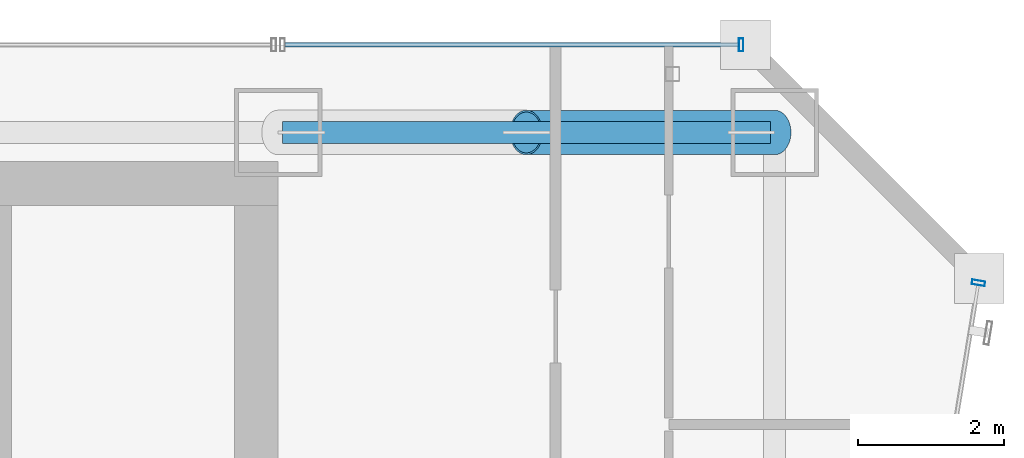
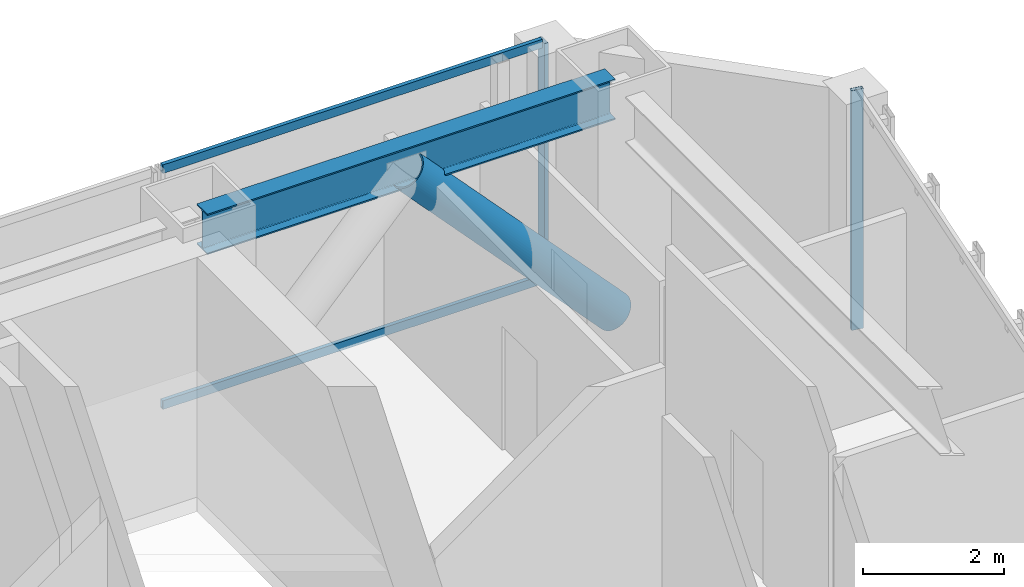
# One storey, part 33 of 47: 5 members, 1 beam, 2 elements without a shape of their own.
"""IFC4 building model written with IfcOpenShell, lengths in metres."""

from ifc_helpers import new_model, si_unit, direction, frame, origin, origin_2d, place, context, subcontext, project, spatial, hollow_rectangle, hollow_circle, i_section, extrude, material, material_profile, profile_set, type_object, element, aggregate, save


model = new_model("IFC4")

# Units and contexts
model_context = context("Model", 3, precision=1e-05, world=origin(), true_north=direction((0.0, 1.0)))
body_context = subcontext(model_context, "Body", "Model", "MODEL_VIEW")
ifc_project = project(units=[si_unit("LENGTHUNIT", "METRE"), si_unit("AREAUNIT", "SQUARE_METRE"), si_unit("VOLUMEUNIT", "CUBIC_METRE"), si_unit("PLANEANGLEUNIT", "RADIAN"), si_unit("MASSUNIT", "GRAM", prefix="KILO")], contexts=[model_context])

# Site, building, storey
site_placement = place(None, origin())
site = spatial("IfcSite", under=ifc_project, at=site_placement, CompositionType="ELEMENT")
building_placement = place(site_placement, origin())
building = spatial("IfcBuilding", under=site, at=building_placement, Name="Saevonmaru Cultural Tower", CompositionType="ELEMENT")
storey_placement = place(building_placement, frame((0.0, 0.0, 78.0)))
storey = spatial("IfcBuildingStorey", under=building, at=storey_placement, Name="L16", CompositionType="ELEMENT", Elevation=78.0)

# Beam
ifc_material_1 = material(Name="Steel SM355", Category="steel")
ifc_material_profile_1 = material_profile(ifc_material_1, i_section(OverallWidth=0.300048828125, OverallDepth=0.699951171875, WebThickness=0.012939453125, FlangeThickness=0.02392578125, FilletRadius=0.02587890625, at=origin_2d()), Name="H-700x300x13x24")
ifc_profile_set_1 = profile_set([ifc_material_profile_1], Name="Steel SM355")
beam_type = type_object("IfcBeamType", Name="BM-SP-H700", PredefinedType="SPANDREL", material=ifc_profile_set_1)
beam_placement = place(storey_placement, frame((46.4599609375, 54.800048828125, 3.800048828125), z_axis=(1.0, 0.0, 0.0), x_axis=(0.0, 1.0, 0.0)))
element("IfcBeam", 1, at=beam_placement, inside=storey, type_object=beam_type, Name="L16 North Spine Girder 5", PredefinedType="SPANDREL", context=body_context, shape_type="SweptSolid", body=[
    extrude(i_section(OverallWidth=0.300048828125, OverallDepth=0.699951171875, WebThickness=0.012939453125, FlangeThickness=0.02392578125, FilletRadius=0.02587890625, at=origin_2d()), origin(), (0.0, 0.0, 1.0), 6.679931640625),
])

# Member
ifc_material_2 = material(Name="Steel HSA600 (600 MPa)", Category="steel")
ifc_material_profile_2 = material_profile(ifc_material_2, hollow_circle(Radius=0.3046875, WallThickness=0.02490234375, at=origin_2d()), Name="CHS-609.6x25")
ifc_profile_set_2 = profile_set([ifc_material_profile_2], Name="Steel HSA600 (600 MPa)")
member_type_1 = type_object("IfcMemberType", Name="MB-PBR-CHS610", PredefinedType="BRACE", material=ifc_profile_set_2)
member_1_placement = place(storey_placement, frame((53.199951171875, 54.800048828125, 0.02001953125), z_axis=(-0.681602937137, 0.0, 0.73172223971), x_axis=(0.0, -1.0, 0.0)))
element("IfcMember", 2, at=member_1_placement, inside=storey, type_object=member_type_1, Name="L16 Perimeter Braced-Tube Diagonal EN2", PredefinedType="BRACE", context=body_context, shape_type="SweptSolid", body=[
    extrude(hollow_circle(Radius=0.3046875, WallThickness=0.02490234375, at=origin_2d()), origin(), (0.0, 0.0, 1.0), 4.988037109375),
])

# Curtain wall, member
ifc_material_3 = material(Name="Satin Bronze Anodised Aluminium", Category="aluminium")
curtain_wall_type = type_object("IfcCurtainWallType", Name="CW-TYP-A", PredefinedType="NOTDEFINED", material=ifc_material_3)
curtain_wall_1_placement = place(storey_placement, origin())
curtain_wall_1 = element("IfcCurtainWall", 3, at=curtain_wall_1_placement, inside=storey, type_object=curtain_wall_type, Name="L16 Unitised Curtain Wall E8", PredefinedType="NOTDEFINED")
ifc_material_profile_3 = material_profile(ifc_material_3, hollow_rectangle(XDim=0.06494140625, YDim=0.179931640625, WallThickness=0.00390625, at=origin_2d()), Name="ALU-MULL-180x65x4")
ifc_profile_set_3 = profile_set([ifc_material_profile_3], Name="Satin Bronze Anodised Aluminium")
member_type_2 = type_object("IfcMemberType", Name="ML-CW-180x65", PredefinedType="MULLION", material=ifc_profile_set_3)
member_2_placement = place(storey_placement, frame((55.990234375, 52.74072265625, 0.0), z_axis=(0.0, 0.0, 1.0), x_axis=(0.161708868641, 0.986838508472, 0.0)))
member_2 = element("IfcMember", 4, at=member_2_placement, type_object=member_type_2, Name="CW-TW-L16-E8 mullion 5", PredefinedType="MULLION", context=body_context, shape_type="SweptSolid", body=[
    extrude(hollow_rectangle(XDim=0.06494140625, YDim=0.179931640625, WallThickness=0.00390625, at=origin_2d()), origin(), (0.0, 0.0, 1.0), 4.14990234375),
])
aggregate(curtain_wall_1, [member_2])

# Curtain wall, members
curtain_wall_2_placement = place(storey_placement, origin())
curtain_wall_2 = element("IfcCurtainWall", 5, at=curtain_wall_2_placement, inside=storey, type_object=curtain_wall_type, Name="L16 East Braced Bay Spandrel Curtain Wall E10A", PredefinedType="NOTDEFINED")
member_3_placement = place(storey_placement, frame((52.739990234375, 56.0, 0.0), z_axis=(0.0, 0.0, 1.0), x_axis=(-1.0, 0.0, 0.0)))
member_3 = element("IfcMember", 6, at=member_3_placement, type_object=member_type_2, Name="CW-TW-L16-E10A mullion 1", PredefinedType="MULLION", context=body_context, shape_type="SweptSolid", body=[
    extrude(hollow_rectangle(XDim=0.06494140625, YDim=0.179931640625, WallThickness=0.00390625, at=origin_2d()), origin(), (0.0, 0.0, 1.0), 4.14990234375),
])
ifc_material_profile_4 = material_profile(ifc_material_3, hollow_rectangle(XDim=0.06494140625, YDim=0.14990234375, WallThickness=0.00390625, at=origin_2d()), Name="ALU-TRAN-150x65x4")
ifc_profile_set_4 = profile_set([ifc_material_profile_4], Name="Satin Bronze Anodised Aluminium")
member_type_3 = type_object("IfcMemberType", Name="TR-CW-150x65", PredefinedType="USERDEFINED", material=ifc_profile_set_4)
member_4_placement = place(storey_placement, frame((52.70751953125, 56.0, 0.032470703125), z_axis=(-1.0, 0.0, 0.0), x_axis=(0.0, -1.0, 0.0)))
member_4 = element("IfcMember", 7, at=member_4_placement, type_object=member_type_3, Name="CW-TW-L16-E10A transom 1.1", ObjectType="TRANSOM", PredefinedType="USERDEFINED", context=body_context, shape_type="SweptSolid", body=[
    extrude(hollow_rectangle(XDim=0.06494140625, YDim=0.14990234375, WallThickness=0.00390625, at=origin_2d()), origin(), (0.0, 0.0, 1.0), 6.215087890625),
])
member_5_placement = place(storey_placement, frame((52.70751953125, 56.0, 4.117431640625), z_axis=(-1.0, 0.0, 0.0), x_axis=(0.0, -1.0, 0.0)))
member_5 = element("IfcMember", 8, at=member_5_placement, type_object=member_type_3, Name="CW-TW-L16-E10A transom 1.2", ObjectType="TRANSOM", PredefinedType="USERDEFINED", context=body_context, shape_type="SweptSolid", body=[
    extrude(hollow_rectangle(XDim=0.06494140625, YDim=0.14990234375, WallThickness=0.00390625, at=origin_2d()), origin(), (0.0, 0.0, 1.0), 6.215087890625),
])
aggregate(curtain_wall_2, [member_3, member_4, member_5])

save(model, "model.ifc")
